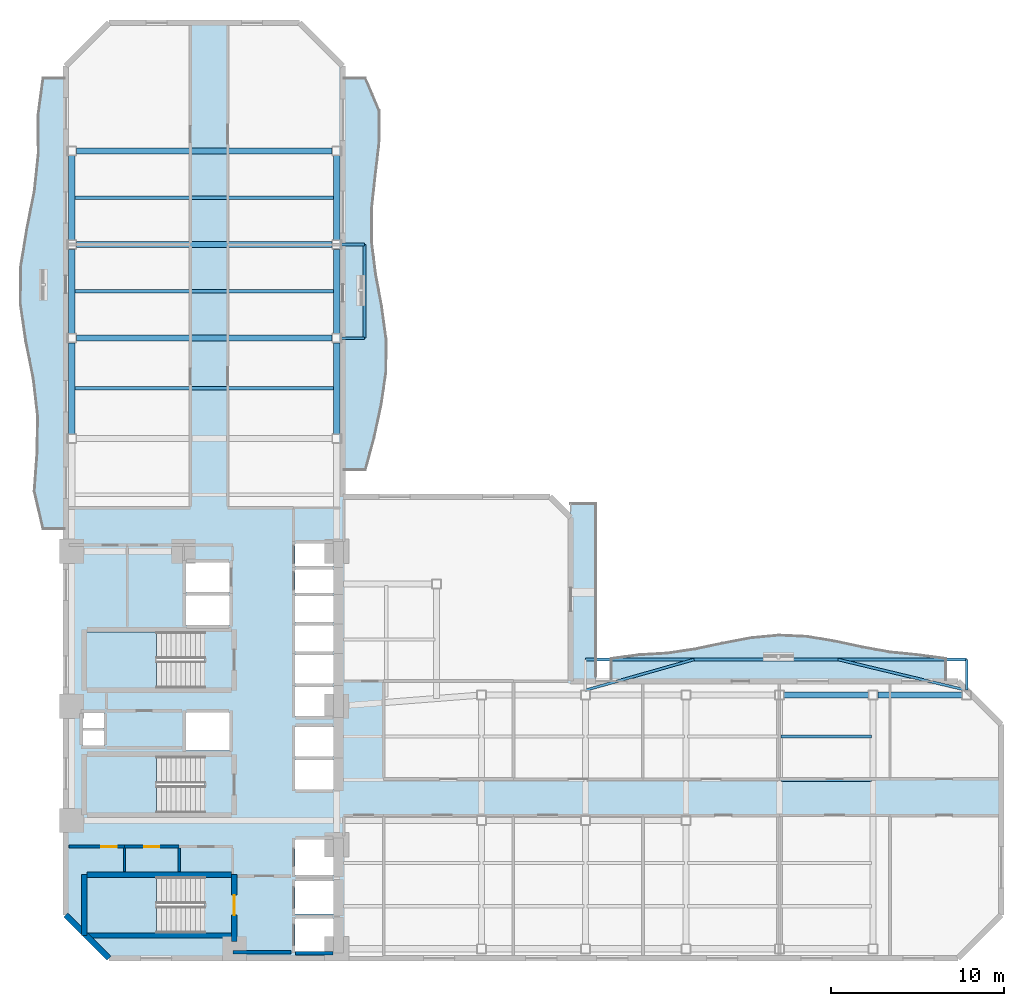
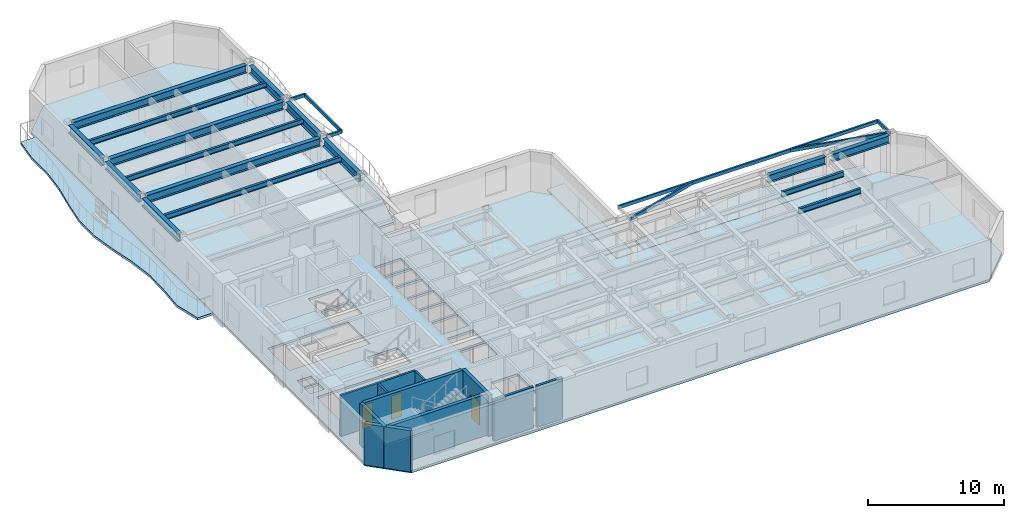
# One storey, part 2 of 10: 23 beams, 11 walls, 8 slabs, 3 doors, 3 openings, 3 elements without a shape of their own.
"""IFC4 building model written with IfcOpenShell, lengths in metres."""

from ifc_helpers import new_model, si_unit, direction, frame, frame_2d, origin, origin_2d, place, context, subcontext, project, spatial, polyline, rectangle, hollow_rectangle, i_section, outline, extrude, material, layer, layer_set, material_profile, profile_set, type_object, element, fill, aggregate, save


model = new_model("IFC4")

# Units and contexts
model_context = context("Model", 3, precision=1e-05, world=origin(), true_north=direction((0.0, 1.0)))
body_context = subcontext(model_context, "Body", "Model", "MODEL_VIEW")
ifc_project = project(units=[si_unit("LENGTHUNIT", "METRE"), si_unit("AREAUNIT", "SQUARE_METRE"), si_unit("VOLUMEUNIT", "CUBIC_METRE"), si_unit("PLANEANGLEUNIT", "RADIAN"), si_unit("MASSUNIT", "GRAM", prefix="KILO")], contexts=[model_context])

# Site, building, storey
site_placement = place(None, origin())
site = spatial("IfcSite", under=ifc_project, at=site_placement, CompositionType="ELEMENT")
building_placement = place(site_placement, origin())
building = spatial("IfcBuilding", under=site, at=building_placement, Name="Mawjaban Terraces University", CompositionType="ELEMENT")
storey_placement = place(building_placement, frame((0.0, 0.0, 62.199951171875)))
storey = spatial("IfcBuildingStorey", under=building, at=storey_placement, Name="L14", CompositionType="ELEMENT", Elevation=62.199951171875)

# Beams
ifc_material_1 = material(Name="Steel EN 10210-1 S355J2H", Category="steel")
ifc_material_profile_1 = material_profile(ifc_material_1, hollow_rectangle(XDim=0.14990234375, YDim=0.300048828125, WallThickness=0.012451171875, at=origin_2d()), Name="RHS300X150X12.5")
ifc_profile_set_1 = profile_set([ifc_material_profile_1], Name="Steel EN 10210-1 S355J2H")
beam_type_1 = type_object("IfcBeamType", Name="BalconyCantileverSpandrel_RHS", PredefinedType="SPANDREL", material=ifc_profile_set_1)
beam_1_placement = place(storey_placement, frame((74.0, 15.47509765625, 3.5400390625), z_axis=(0.0, 1.0, 0.0), x_axis=(-1.0, 0.0, 0.0)))
element("IfcBeam", 1, at=beam_1_placement, inside=storey, type_object=beam_type_1, Name="L14 Exterior Outrigger BAL-L15-N.2", PredefinedType="SPANDREL", context=body_context, shape_type="SweptSolid", body=[
    extrude(hollow_rectangle(XDim=0.14990234375, YDim=0.300048828125, WallThickness=0.012451171875, at=origin_2d()), origin(), (0.0, 0.0, 1.0), 1.77490234375),
])
beam_2_placement = place(storey_placement, frame((52.0, 17.25, 3.5400390625), z_axis=(1.0, 0.0, 0.0), x_axis=(0.0, 1.0, 0.0)))
element("IfcBeam", 2, at=beam_2_placement, inside=storey, type_object=beam_type_1, Name="L14 Exterior Edge Spandrel BAL-L15-N", PredefinedType="SPANDREL", context=body_context, shape_type="SweptSolid", body=[
    extrude(hollow_rectangle(XDim=0.14990234375, YDim=0.300048828125, WallThickness=0.012451171875, at=origin_2d()), origin(), (0.0, 0.0, 1.0), 22.0),
])
beam_3_placement = place(storey_placement, frame((52.0, 15.47509765625, 3.5400390625), z_axis=(0.962246756017, 0.272178582065, 0.0), x_axis=(-0.272178582065, 0.962246756017, 0.0)))
element("IfcBeam", 3, at=beam_3_placement, inside=storey, type_object=beam_type_1, Name="L14 Exterior Diagonal Strut BAL-L15-N.1", PredefinedType="SPANDREL", context=body_context, shape_type="SweptSolid", body=[
    extrude(hollow_rectangle(XDim=0.14990234375, YDim=0.300048828125, WallThickness=0.012451171875, at=origin_2d()), origin(), (0.0, 0.0, 1.0), 6.52099609375),
])
beam_4_placement = place(storey_placement, frame((74.0, 15.47509765625, 3.5400390625), z_axis=(-0.972598230498, 0.232492326825, 0.0), x_axis=(-0.232492326825, -0.972598230498, 0.0)))
element("IfcBeam", 4, at=beam_4_placement, inside=storey, type_object=beam_type_1, Name="L14 Exterior Diagonal Strut BAL-L15-N.2", PredefinedType="SPANDREL", context=body_context, shape_type="SweptSolid", body=[
    extrude(hollow_rectangle(XDim=0.14990234375, YDim=0.300048828125, WallThickness=0.012451171875, at=origin_2d()), origin(), (0.0, 0.0, 1.0), 7.63427734375),
])
for number, where, z_axis, x_axis, name in (
    (5, (37.925048828125, 35.800048828125, 3.5400390625), (1.0, 0.0, 0.0), (0.0, 1.0, 0.0), "L14 Exterior Outrigger BAL-L15-E.1"),
    (6, (37.925048828125, 41.199951171875, 3.5400390625), (1.0, 0.0, 0.0), (0.0, 1.0, 0.0), "L14 Exterior Outrigger BAL-L15-E.2"),
):
    element("IfcBeam", number, at=place(storey_placement, frame(where, z_axis=z_axis, x_axis=x_axis)), inside=storey, type_object=beam_type_1, Name=name, PredefinedType="SPANDREL", context=body_context, shape_type="SweptSolid", body=[
        extrude(hollow_rectangle(XDim=0.14990234375, YDim=0.300048828125, WallThickness=0.012451171875, at=origin_2d()), origin(), (0.0, 0.0, 1.0), 1.324951171875),
    ])
beam_5_placement = place(storey_placement, frame((39.25, 35.800048828125, 3.5400390625), z_axis=(0.0, 1.0, 0.0), x_axis=(-1.0, 0.0, 0.0)))
element("IfcBeam", 7, at=beam_5_placement, inside=storey, type_object=beam_type_1, Name="L14 Exterior Edge Spandrel BAL-L15-E", PredefinedType="SPANDREL", context=body_context, shape_type="SweptSolid", body=[
    extrude(hollow_rectangle(XDim=0.14990234375, YDim=0.300048828125, WallThickness=0.012451171875, at=origin_2d()), origin(), (0.0, 0.0, 1.0), 5.39990234375),
])
ifc_material_2 = material(Name="Steel ASTM A572 Grade 50", Category="steel")
ifc_material_profile_2 = material_profile(ifc_material_2, i_section(OverallWidth=0.35498046875, OverallDepth=0.695068359375, WebThickness=0.015380859375, FlangeThickness=0.02490234375, at=origin_2d()), Name="W690X217")
ifc_profile_set_2 = profile_set([ifc_material_profile_2], Name="Steel ASTM A572 Grade 50")
beam_type_2 = type_object("IfcBeamType", Name="Beam_B_W690X217", PredefinedType="BEAM", material=ifc_profile_set_2)
beam_6_placement = place(storey_placement, frame((63.47509765625, 15.199951171875, 3.343017578125), z_axis=(1.0, 0.0, 0.0), x_axis=(0.0, 1.0, 0.0)))
element("IfcBeam", 8, at=beam_6_placement, inside=storey, type_object=beam_type_2, Name="L14 Beam BM-L14-EW-12", PredefinedType="BEAM", context=body_context, shape_type="SweptSolid", body=[
    extrude(i_section(OverallWidth=0.35498046875, OverallDepth=0.695068359375, WebThickness=0.015380859375, FlangeThickness=0.02490234375, at=origin_2d()), origin(), (0.0, 0.0, 1.0), 4.849853515625),
])
beam_7_placement = place(storey_placement, frame((68.875, 15.199951171875, 3.343017578125), z_axis=(1.0, 0.0, 0.0), x_axis=(0.0, 1.0, 0.0)))
element("IfcBeam", 9, at=beam_7_placement, inside=storey, type_object=beam_type_2, Name="L14 Beam BM-L14-EW-13", PredefinedType="BEAM", context=body_context, shape_type="SweptSolid", body=[
    extrude(i_section(OverallWidth=0.35498046875, OverallDepth=0.695068359375, WebThickness=0.015380859375, FlangeThickness=0.02490234375, at=origin_2d()), origin(), (0.0, 0.0, 1.0), 4.85009765625),
])
for number, where, z_axis, x_axis, name in (
    (10, (22.625, 35.800048828125, 3.343017578125), (1.0, 0.0, 0.0), (0.0, 1.0, 0.0), "L14 Beam BM-L14-EW-16"),
    (11, (22.625, 41.199951171875, 3.343017578125), (1.0, 0.0, 0.0), (0.0, 1.0, 0.0), "L14 Beam BM-L14-EW-17"),
    (12, (22.625, 46.60009765625, 3.343017578125), (1.0, 0.0, 0.0), (0.0, 1.0, 0.0), "L14 Beam BM-L14-EW-18"),
):
    element("IfcBeam", number, at=place(storey_placement, frame(where, z_axis=z_axis, x_axis=x_axis)), inside=storey, type_object=beam_type_2, Name=name, PredefinedType="BEAM", context=body_context, shape_type="SweptSolid", body=[
        extrude(i_section(OverallWidth=0.35498046875, OverallDepth=0.695068359375, WebThickness=0.015380859375, FlangeThickness=0.02490234375, at=origin_2d()), origin(), (0.0, 0.0, 1.0), 14.75),
    ])
beam_8_placement = place(storey_placement, frame((22.35009765625, 30.27490234375, 3.343017578125), z_axis=(0.0, 1.0, 0.0), x_axis=(-1.0, 0.0, 0.0)))
element("IfcBeam", 13, at=beam_8_placement, inside=storey, type_object=beam_type_2, Name="L14 Beam BM-L14-NS-04", PredefinedType="BEAM", context=body_context, shape_type="SweptSolid", body=[
    extrude(i_section(OverallWidth=0.35498046875, OverallDepth=0.695068359375, WebThickness=0.015380859375, FlangeThickness=0.02490234375, at=origin_2d()), origin(), (0.0, 0.0, 1.0), 5.25),
])
beam_9_placement = place(storey_placement, frame((22.35009765625, 36.074951171875, 3.343017578125), z_axis=(0.0, 1.0, 0.0), x_axis=(-1.0, 0.0, 0.0)))
element("IfcBeam", 14, at=beam_9_placement, inside=storey, type_object=beam_type_2, Name="L14 Beam BM-L14-NS-05", PredefinedType="BEAM", context=body_context, shape_type="SweptSolid", body=[
    extrude(i_section(OverallWidth=0.35498046875, OverallDepth=0.695068359375, WebThickness=0.015380859375, FlangeThickness=0.02490234375, at=origin_2d()), origin(), (0.0, 0.0, 1.0), 4.85009765625),
])
beam_10_placement = place(storey_placement, frame((22.35009765625, 41.47509765625, 3.343017578125), z_axis=(0.0, 1.0, 0.0), x_axis=(-1.0, 0.0, 0.0)))
element("IfcBeam", 15, at=beam_10_placement, inside=storey, type_object=beam_type_2, Name="L14 Beam BM-L14-NS-06", PredefinedType="BEAM", context=body_context, shape_type="SweptSolid", body=[
    extrude(i_section(OverallWidth=0.35498046875, OverallDepth=0.695068359375, WebThickness=0.015380859375, FlangeThickness=0.02490234375, at=origin_2d()), origin(), (0.0, 0.0, 1.0), 4.849853515625),
])
beam_11_placement = place(storey_placement, frame((37.64990234375, 30.27490234375, 3.343017578125), z_axis=(0.0, 1.0, 0.0), x_axis=(-1.0, 0.0, 0.0)))
element("IfcBeam", 16, at=beam_11_placement, inside=storey, type_object=beam_type_2, Name="L14 Beam BM-L14-NS-11", PredefinedType="BEAM", context=body_context, shape_type="SweptSolid", body=[
    extrude(i_section(OverallWidth=0.35498046875, OverallDepth=0.695068359375, WebThickness=0.015380859375, FlangeThickness=0.02490234375, at=origin_2d()), origin(), (0.0, 0.0, 1.0), 5.25),
])
beam_12_placement = place(storey_placement, frame((37.64990234375, 36.074951171875, 3.343017578125), z_axis=(0.0, 1.0, 0.0), x_axis=(-1.0, 0.0, 0.0)))
element("IfcBeam", 17, at=beam_12_placement, inside=storey, type_object=beam_type_2, Name="L14 Beam BM-L14-NS-12", PredefinedType="BEAM", context=body_context, shape_type="SweptSolid", body=[
    extrude(i_section(OverallWidth=0.35498046875, OverallDepth=0.695068359375, WebThickness=0.015380859375, FlangeThickness=0.02490234375, at=origin_2d()), origin(), (0.0, 0.0, 1.0), 4.85009765625),
])
beam_13_placement = place(storey_placement, frame((37.64990234375, 41.47509765625, 3.343017578125), z_axis=(0.0, 1.0, 0.0), x_axis=(-1.0, 0.0, 0.0)))
element("IfcBeam", 18, at=beam_13_placement, inside=storey, type_object=beam_type_2, Name="L14 Beam BM-L14-NS-13", PredefinedType="BEAM", context=body_context, shape_type="SweptSolid", body=[
    extrude(i_section(OverallWidth=0.35498046875, OverallDepth=0.695068359375, WebThickness=0.015380859375, FlangeThickness=0.02490234375, at=origin_2d()), origin(), (0.0, 0.0, 1.0), 4.849853515625),
])
ifc_material_profile_3 = material_profile(ifc_material_2, i_section(OverallWidth=0.19189453125, OverallDepth=0.462890625, WebThickness=0.010498046875, FlangeThickness=0.017578125, at=origin_2d()), Name="W460X89")
ifc_profile_set_3 = profile_set([ifc_material_profile_3], Name="Steel ASTM A572 Grade 50")
beam_type_3 = type_object("IfcBeamType", Name="Beam_J_W460X89", PredefinedType="JOIST", material=ifc_profile_set_3)
for number, where, z_axis, x_axis, name in (
    (19, (63.280029296875, 10.300048828125, 3.458984375), (1.0, 0.0, 0.0), (0.0, 1.0, 0.0), "L14 Composite Joist JST-L14-15"),
    (20, (63.280029296875, 12.800048828125, 3.458984375), (1.0, 0.0, 0.0), (0.0, 1.0, 0.0), "L14 Composite Joist JST-L14-20"),
):
    element("IfcBeam", number, at=place(storey_placement, frame(where, z_axis=z_axis, x_axis=x_axis)), inside=storey, type_object=beam_type_3, Name=name, PredefinedType="JOIST", context=body_context, shape_type="SweptSolid", body=[
        extrude(i_section(OverallWidth=0.19189453125, OverallDepth=0.462890625, WebThickness=0.010498046875, FlangeThickness=0.017578125, at=origin_2d()), origin(), (0.0, 0.0, 1.0), 5.239990234375),
    ])
for number, where, z_axis, x_axis, name in (
    (21, (22.429931640625, 32.89990234375, 3.458984375), (1.0, 0.0, 0.0), (0.0, 1.0, 0.0), "L14 Composite Joist JST-L14-23"),
    (22, (22.429931640625, 38.5, 3.458984375), (1.0, 0.0, 0.0), (0.0, 1.0, 0.0), "L14 Composite Joist JST-L14-24"),
    (23, (22.429931640625, 43.89990234375, 3.458984375), (1.0, 0.0, 0.0), (0.0, 1.0, 0.0), "L14 Composite Joist JST-L14-25"),
):
    element("IfcBeam", number, at=place(storey_placement, frame(where, z_axis=z_axis, x_axis=x_axis)), inside=storey, type_object=beam_type_3, Name=name, PredefinedType="JOIST", context=body_context, shape_type="SweptSolid", body=[
        extrude(i_section(OverallWidth=0.19189453125, OverallDepth=0.462890625, WebThickness=0.010498046875, FlangeThickness=0.017578125, at=origin_2d()), origin(), (0.0, 0.0, 1.0), 15.14013671875),
    ])

# Slabs
ifc_material_3 = material(Name="Concrete C40/50", Category="concrete")
ifc_layer_1 = layer(ifc_material_3, 0.2099609375)
ifc_layer_set_1 = layer_set([ifc_layer_1], Name="Concrete C40/50")
slab_type_1 = type_object("IfcSlabType", Name="BalconySlab_210_Ext", PredefinedType="FLOOR", material=ifc_layer_set_1)
slab_1_placement = place(storey_placement, frame((0.0, 0.0, -0.2099609375)))
element("IfcSlab", 24, at=slab_1_placement, inside=storey, type_object=slab_type_1, Name="L14 Planted Balcony Slab west", PredefinedType="FLOOR", context=body_context, shape_type="SweptSolid", body=[
    extrude(outline(polyline([(22.010009765625, 24.800048828125), (22.010009765625, 50.800048828125), (20.699951171875, 50.800048828125), (20.410888671875, 48.633056640625), (20.431884765625, 46.467041015625), (20.201904296875, 44.300048828125), (19.77294921875, 42.133056640625), (19.41796875, 39.967041015625), (19.388916015625, 37.800048828125), (19.7060546875, 35.633056640625), (20.137939453125, 33.467041015625), (20.39208984375, 31.300048828125), (20.35302734375, 29.133056640625), (20.195068359375, 26.967041015625), (20.699951171875, 24.800048828125), (22.010009765625, 24.800048828125)])), origin(), (0.0, 0.0, 1.0), 0.2099609375),
])
slab_2_placement = place(storey_placement, frame((0.0, 0.0, -0.2099609375)))
element("IfcSlab", 25, at=slab_2_placement, inside=storey, type_object=slab_type_1, Name="L14 Planted Balcony Slab inner_north", PredefinedType="FLOOR", context=body_context, shape_type="SweptSolid", body=[
    extrude(outline(polyline([(53.5, 15.989990234375), (72.800048828125, 15.989990234375), (72.800048828125, 17.300048828125), (71.19189453125, 17.512939453125), (69.5830078125, 17.672119140625), (67.97509765625, 17.964111328125), (66.366943359375, 18.31005859375), (64.758056640625, 18.573974609375), (63.14990234375, 18.64501953125), (61.5419921875, 18.492919921875), (59.93310546875, 18.18408203125), (58.324951171875, 17.847900390625), (56.717041015625, 17.60888671875), (55.10791015625, 17.513916015625), (53.5, 17.300048828125), (53.5, 15.989990234375)])), origin(), (0.0, 0.0, 1.0), 0.2099609375),
])
slab_3_placement = place(storey_placement, frame((0.0, 0.0, -0.2099609375)))
element("IfcSlab", 26, at=slab_3_placement, inside=storey, type_object=slab_type_1, Name="L14 Planted Balcony Slab inner_east", PredefinedType="FLOOR", context=body_context, shape_type="SweptSolid", body=[
    extrude(outline(polyline([(39.300048828125, 28.195068359375), (39.81103515625, 30.0791015625), (40.216064453125, 31.9619140625), (40.491943359375, 33.845947265625), (40.4990234375, 35.72998046875), (40.2470703125, 37.614013671875), (39.89599609375, 39.498046875), (39.658935546875, 41.381103515625), (39.6630859375, 43.264892578125), (39.867919921875, 45.14892578125), (40.090087890625, 47.031982421875), (40.10205078125, 48.916015625), (39.300048828125, 50.800048828125), (37.989990234375, 50.800048828125), (37.989990234375, 28.195068359375), (39.300048828125, 28.195068359375)])), origin(), (0.0, 0.0, 1.0), 0.2099609375),
])
ifc_layer_2 = layer(ifc_material_3, 0.2099609375)
ifc_layer_set_2 = layer_set([ifc_layer_2], Name="Concrete C40/50")
slab_type_2 = type_object("IfcSlabType", Name="CompositeSlab_210", PredefinedType="FLOOR", material=ifc_layer_set_2)
slab_4_placement = place(storey_placement, frame((0.0, 0.0, -0.2099609375)))
element("IfcSlab", 27, at=slab_4_placement, inside=storey, type_object=slab_type_2, Name="L14 Primary Structural Slab", PredefinedType="FLOOR", context=body_context, shape_type="SweptSolid", body=[
    extrude(outline(polyline([(24.5, 0.0), (73.5, 0.0), (76.0, 2.5), (76.0, 13.5), (73.5, 16.0), (51.14990234375, 16.0), (51.14990234375, 25.44189453125), (49.949951171875, 26.64208984375), (38.0, 26.64208984375), (38.0, 51.5), (35.5, 54.0), (24.5, 54.0), (22.0, 51.5), (22.0, 2.5), (24.5, 0.0)]), holes=[polyline([(30.014892578125, 4.699951171875), (23.199951171875, 4.699951171875), (23.199951171875, 1.449951171875), (30.014892578125, 1.449951171875), (30.014892578125, 4.699951171875)]), polyline([(30.014892578125, 18.85009765625), (23.199951171875, 18.85009765625), (23.199951171875, 15.60009765625), (30.014892578125, 15.60009765625), (30.014892578125, 18.85009765625)]), polyline([(30.014892578125, 11.64990234375), (23.199951171875, 11.64990234375), (23.199951171875, 8.39990234375), (30.014892578125, 8.39990234375), (30.014892578125, 11.64990234375)]), polyline([(35.25, 0.39990234375), (37.449951171875, 0.39990234375), (37.449951171875, 2.300048828125), (35.25, 2.300048828125), (35.25, 0.39990234375)]), polyline([(35.25, 2.550048828125), (37.449951171875, 2.550048828125), (37.449951171875, 4.449951171875), (35.25, 4.449951171875), (35.25, 2.550048828125)]), polyline([(35.25, 4.800048828125), (37.449951171875, 4.800048828125), (37.449951171875, 6.85009765625), (35.25, 6.85009765625), (35.25, 4.800048828125)]), polyline([(35.25, 9.75), (37.449951171875, 9.75), (37.449951171875, 11.449951171875), (35.25, 11.449951171875), (35.25, 9.75)]), polyline([(35.25, 11.64990234375), (37.449951171875, 11.64990234375), (37.449951171875, 13.35009765625), (35.25, 13.35009765625), (35.25, 11.64990234375)]), polyline([(28.949951171875, 12.0), (31.449951171875, 12.0), (31.449951171875, 14.199951171875), (28.949951171875, 14.199951171875), (28.949951171875, 12.0)]), polyline([(35.25, 14.0), (37.449951171875, 14.0), (37.449951171875, 15.64990234375), (35.25, 15.64990234375), (35.25, 14.0)]), polyline([(35.25, 15.85009765625), (37.449951171875, 15.85009765625), (37.449951171875, 17.5), (35.25, 17.5), (35.25, 15.85009765625)]), polyline([(35.25, 17.699951171875), (37.449951171875, 17.699951171875), (37.449951171875, 19.199951171875), (35.25, 19.199951171875), (35.25, 17.699951171875)]), polyline([(35.25, 19.39990234375), (37.449951171875, 19.39990234375), (37.449951171875, 20.89990234375), (35.25, 20.89990234375), (35.25, 19.39990234375)]), polyline([(28.949951171875, 19.25), (31.449951171875, 19.25), (31.449951171875, 20.949951171875), (28.949951171875, 20.949951171875), (28.949951171875, 19.25)]), polyline([(35.25, 21.10009765625), (37.449951171875, 21.10009765625), (37.449951171875, 22.449951171875), (35.25, 22.449951171875), (35.25, 21.10009765625)]), polyline([(35.25, 22.64990234375), (37.449951171875, 22.64990234375), (37.449951171875, 23.949951171875), (35.25, 23.949951171875), (35.25, 22.64990234375)]), polyline([(28.949951171875, 21.14990234375), (31.449951171875, 21.14990234375), (31.449951171875, 22.85009765625), (28.949951171875, 22.85009765625), (28.949951171875, 21.14990234375)]), polyline([(23.0, 12.25), (24.199951171875, 12.25), (24.199951171875, 13.14990234375), (23.0, 13.14990234375), (23.0, 12.25)]), polyline([(23.0, 13.300048828125), (24.199951171875, 13.300048828125), (24.199951171875, 14.179931640625), (23.0, 14.179931640625), (23.0, 13.300048828125)])]), origin(), (0.0, 0.0, 1.0), 0.2099609375),
])

# Stair, slab
stair_type = type_object("IfcStairType", Name="Stair_Core1550_H39", PredefinedType="HALF_TURN_STAIR", material=ifc_material_3)
stair_1_placement = place(storey_placement, origin())
stair_1 = element("IfcStair", 28, at=stair_1_placement, inside=storey, type_object=stair_type, Name="L14 Core Exit Stair 1", PredefinedType="HALF_TURN_STAIR")
ifc_layer_3 = layer(ifc_material_3, 0.199951171875)
ifc_layer_set_3 = layer_set([ifc_layer_3], Name="Concrete C40/50")
slab_type_3 = type_object("IfcSlabType", Name="StairLandingSlab_200", PredefinedType="LANDING", material=ifc_layer_set_3)
slab_5_placement = place(storey_placement, frame((0.0, 0.0, 1.75)))
slab_5 = element("IfcSlab", 29, at=slab_5_placement, type_object=slab_type_3, Name="ST-1 landing 1", PredefinedType="LANDING", context=body_context, shape_type="SweptSolid", body=[
    extrude(outline(polyline([(27.25, 4.699951171875), (23.199951171875, 4.699951171875), (23.199951171875, 1.449951171875), (27.25, 1.449951171875), (27.25, 4.699951171875)])), origin(), (0.0, 0.0, 1.0), 0.199951171875),
])
aggregate(stair_1, [slab_5])

stair_2_placement = place(storey_placement, origin())
stair_2 = element("IfcStair", 30, at=stair_2_placement, inside=storey, type_object=stair_type, Name="L14 Core Exit Stair 2", PredefinedType="HALF_TURN_STAIR")
slab_6_placement = place(storey_placement, frame((0.0, 0.0, 1.75)))
slab_6 = element("IfcSlab", 31, at=slab_6_placement, type_object=slab_type_3, Name="ST-2 landing 1", PredefinedType="LANDING", context=body_context, shape_type="SweptSolid", body=[
    extrude(outline(polyline([(27.25, 18.85009765625), (23.199951171875, 18.85009765625), (23.199951171875, 15.60009765625), (27.25, 15.60009765625), (27.25, 18.85009765625)])), origin(), (0.0, 0.0, 1.0), 0.199951171875),
])
aggregate(stair_2, [slab_6])

stair_3_placement = place(storey_placement, origin())
stair_3 = element("IfcStair", 32, at=stair_3_placement, inside=storey, type_object=stair_type, Name="L14 Core Exit Stair 3", PredefinedType="HALF_TURN_STAIR")
slab_7_placement = place(storey_placement, frame((0.0, 0.0, 1.75)))
slab_7 = element("IfcSlab", 33, at=slab_7_placement, type_object=slab_type_3, Name="ST-3 landing 1", PredefinedType="LANDING", context=body_context, shape_type="SweptSolid", body=[
    extrude(outline(polyline([(27.25, 11.64990234375), (23.199951171875, 11.64990234375), (23.199951171875, 8.39990234375), (27.25, 8.39990234375), (27.25, 11.64990234375)])), origin(), (0.0, 0.0, 1.0), 0.199951171875),
])
aggregate(stair_3, [slab_7])

# Slab
ifc_layer_4 = layer(ifc_material_3, 0.2099609375)
ifc_layer_set_4 = layer_set([ifc_layer_4], Name="Concrete C40/50")
slab_type_4 = type_object("IfcSlabType", Name="StudyTerraceSlab_210_Ext", PredefinedType="FLOOR", material=ifc_layer_set_4)
slab_8_placement = place(storey_placement, frame((0.0, 0.0, -0.2099609375)))
element("IfcSlab", 34, at=slab_8_placement, inside=storey, type_object=slab_type_4, Name="L14 Exterior Study Terrace Slab", PredefinedType="FLOOR", context=body_context, shape_type="SweptSolid", body=[
    extrude(outline(polyline([(51.14990234375, 16.0), (52.60009765625, 16.0), (52.60009765625, 26.241943359375), (51.14990234375, 26.241943359375), (51.14990234375, 16.0)])), origin(), (0.0, 0.0, 1.0), 0.2099609375),
])

# Wall, opening, door
ifc_material_4 = material(Name="Fire-rated gypsum board on steel stud", Category="steel")
ifc_layer_5 = layer(ifc_material_4, 0.159912109375)
ifc_layer_set_5 = layer_set([ifc_layer_5], Name="Fire-rated gypsum board on steel stud")
wall_type_1 = type_object("IfcWallType", Name="CorridorPartition_160", PredefinedType="PARTITIONING", material=ifc_layer_set_5)
wall_1_placement = place(storey_placement, frame((22.199951171875, 6.449951171875, 0.0), z_axis=(0.0, 0.0, 1.0), x_axis=(1.0, 0.0, 0.0)))
wall_1 = element("IfcWall", 35, at=wall_1_placement, inside=storey, type_object=wall_type_1, Name="L14 Core Washroom Lobby Partition 1", PredefinedType="PARTITIONING", context=body_context, shape_type="SweptSolid", body=[
    extrude(rectangle(XDim=3.199951171875, YDim=0.159912109375, at=frame_2d((1.60009765625, 0.0))), origin(), (0.0, 0.0, 1.0), 3.68994140625),
])
opening_1_placement = place(wall_1_placement, frame((1.860107421875, 0.0, 0.0)))
opening_1 = element("IfcOpeningElement", 36, at=opening_1_placement, cuts=wall_1, Name="Opening ID-088", PredefinedType="OPENING", context=body_context, shape_type="SweptSolid", body=[
    extrude(rectangle(XDim=0.8798828125, YDim=2.10009765625, at=frame_2d((0.43994140625, 1.050048828125))), frame((0.0, 0.08984375, 0.0), z_axis=(0.0, -1.0, 0.0), x_axis=(1.0, 0.0, 0.0)), (0.0, 0.0, 1.0), 0.179931640625),
])
ifc_material_5 = material(Name="Powder-coated steel frame and solid acoustic timber leaf", Category="steel")
door_type_1 = type_object("IfcDoorType", Name="ToiletDoor_880x2100", OperationType="NOTDEFINED", PredefinedType="DOOR", material=ifc_material_5)
door_1_placement = place(opening_1_placement, origin())
door_1 = element("IfcDoor", 37, at=door_1_placement, inside=storey, type_object=door_type_1, Name="L14 Male Toilet Door", OperationType="SINGLE_SWING_LEFT", OverallHeight=2.10009765625, OverallWidth=0.8798828125, PredefinedType="DOOR", context=body_context, shape_type="SweptSolid", body=[
    extrude(rectangle(XDim=0.8798828125, YDim=2.10009765625, at=frame_2d((0.43994140625, 1.050048828125))), frame((0.0, 0.02490234375, 0.0), z_axis=(0.0, -1.0, 0.0), x_axis=(1.0, 0.0, 0.0)), (0.0, 0.0, 1.0), 0.050048828125),
])
fill(opening_1, door_1)

wall_2_placement = place(storey_placement, frame((25.39990234375, 6.449951171875, 0.0), z_axis=(0.0, 0.0, 1.0), x_axis=(1.0, 0.0, 0.0)))
wall_2 = element("IfcWall", 38, at=wall_2_placement, inside=storey, type_object=wall_type_1, Name="L14 Core Washroom Lobby Partition 4", PredefinedType="PARTITIONING", context=body_context, shape_type="SweptSolid", body=[
    extrude(rectangle(XDim=3.150146484375, YDim=0.159912109375, at=frame_2d((1.5751953125, 0.0))), origin(), (0.0, 0.0, 1.0), 3.68994140625),
])
opening_2_placement = place(wall_2_placement, frame((1.135009765625, 0.0, 0.0)))
opening_2 = element("IfcOpeningElement", 39, at=opening_2_placement, cuts=wall_2, Name="Opening ID-088", PredefinedType="OPENING", context=body_context, shape_type="SweptSolid", body=[
    extrude(rectangle(XDim=0.8798828125, YDim=2.10009765625, at=frame_2d((0.43994140625, 1.050048828125))), frame((0.0, 0.08984375, 0.0), z_axis=(0.0, -1.0, 0.0), x_axis=(1.0, 0.0, 0.0)), (0.0, 0.0, 1.0), 0.179931640625),
])
door_2_placement = place(opening_2_placement, origin())
door_2 = element("IfcDoor", 40, at=door_2_placement, inside=storey, type_object=door_type_1, Name="L14 Female Toilet Door", OperationType="SINGLE_SWING_RIGHT", OverallHeight=2.10009765625, OverallWidth=0.8798828125, PredefinedType="DOOR", context=body_context, shape_type="SweptSolid", body=[
    extrude(rectangle(XDim=0.8798828125, YDim=2.10009765625, at=frame_2d((0.43994140625, 1.050048828125))), frame((0.0, 0.02490234375, 0.0), z_axis=(0.0, -1.0, 0.0), x_axis=(1.0, 0.0, 0.0)), (0.0, 0.0, 1.0), 0.050048828125),
])
fill(opening_2, door_2)

# Walls
ifc_material_6 = material(Name="Insulated terracotta rainscreen on concrete backup C40/50", Category="masonry")
ifc_layer_6 = layer(ifc_material_6, 0.320068359375)
ifc_layer_set_6 = layer_set([ifc_layer_6], Name="Insulated terracotta rainscreen on concrete backup C40/50")
wall_type_2 = type_object("IfcWallType", Name="ExtTerracottaWall_320", PredefinedType="SOLIDWALL", material=ifc_layer_set_6)
wall_3_placement = place(storey_placement, frame((22.0, 2.5, 0.0), z_axis=(0.0, 0.0, 1.0), x_axis=(0.707106781187, -0.707106781187, 0.0)))
element("IfcWall", 41, at=wall_3_placement, inside=storey, type_object=wall_type_2, Name="L14 Exterior Terracotta Wall 14", PredefinedType="SOLIDWALL", context=body_context, shape_type="SweptSolid", body=[
    extrude(rectangle(XDim=3.53564453125, YDim=0.320068359375, at=frame_2d((1.767822265625, 0.0))), origin(), (0.0, 0.0, 1.0), 3.68994140625),
])
ifc_layer_7 = layer(ifc_material_3, 0.199951171875)
ifc_layer_set_7 = layer_set([ifc_layer_7], Name="Concrete C40/50")
wall_type_3 = type_object("IfcWallType", Name="FireLobbyWall_200", PredefinedType="SOLIDWALL", material=ifc_layer_set_7)
wall_4_placement = place(storey_placement, frame((35.280029296875, 0.300048828125, 0.0), z_axis=(0.0, 0.0, 1.0), x_axis=(1.0, 0.0, 0.0)))
element("IfcWall", 42, at=wall_4_placement, inside=storey, type_object=wall_type_3, Name="L14 Lift FL-1 Hoistway Wall South", PredefinedType="SOLIDWALL", context=body_context, shape_type="SweptSolid", body=[
    extrude(rectangle(XDim=2.139892578125, YDim=0.199951171875, at=frame_2d((1.06982421875, 0.0))), origin(), (0.0, 0.0, 1.0), 3.68994140625),
])
wall_5_placement = place(storey_placement, frame((31.64990234375, 0.35009765625, 0.0), z_axis=(0.0, 0.0, 1.0), x_axis=(1.0, 0.0, 0.0)))
element("IfcWall", 43, at=wall_5_placement, inside=storey, type_object=wall_type_3, Name="L14 Firefighting Lift Lobby Partition 11", PredefinedType="SOLIDWALL", context=body_context, shape_type="SweptSolid", body=[
    extrude(rectangle(XDim=3.3701171875, YDim=0.199951171875, at=frame_2d((1.68505859375, 0.0))), origin(), (0.0, 0.0, 1.0), 3.68994140625),
])
ifc_material_7 = material(Name="Concrete C60/75", Category="concrete")
ifc_layer_8 = layer(ifc_material_7, 0.300048828125)
ifc_layer_set_8 = layer_set([ifc_layer_8], Name="Concrete C60/75")
wall_type_4 = type_object("IfcWallType", Name="StairShaftWall_300", PredefinedType="SHEAR", material=ifc_layer_set_8)
wall_6_placement = place(storey_placement, frame((31.580078125, 4.830078125, 0.0), z_axis=(0.0, 0.0, 1.0), x_axis=(-1.0, 0.0, 0.0)))
element("IfcWall", 44, at=wall_6_placement, inside=storey, type_object=wall_type_4, Name="L14 ST-1 Stair Shaft Wall 1", PredefinedType="SHEAR", context=body_context, shape_type="SweptSolid", body=[
    extrude(rectangle(XDim=8.360107421875, YDim=0.300048828125, at=frame_2d((4.18017578125, 0.0))), origin(), (0.0, 0.0, 1.0), 3.68994140625),
])
wall_7_placement = place(storey_placement, frame((23.070068359375, 4.830078125, 0.0), z_axis=(0.0, 0.0, 1.0), x_axis=(0.0, -1.0, 0.0)))
element("IfcWall", 45, at=wall_7_placement, inside=storey, type_object=wall_type_4, Name="L14 ST-1 Stair Shaft Wall 2", PredefinedType="SHEAR", context=body_context, shape_type="SweptSolid", body=[
    extrude(rectangle(XDim=3.510009765625, YDim=0.300048828125, at=frame_2d((1.7548828125, 0.0))), origin(), (0.0, 0.0, 1.0), 3.68994140625),
])
wall_8_placement = place(storey_placement, frame((23.219970703125, 1.320068359375, 0.0), z_axis=(0.0, 0.0, 1.0), x_axis=(1.0, 0.0, 0.0)))
element("IfcWall", 46, at=wall_8_placement, inside=storey, type_object=wall_type_4, Name="L14 ST-1 Stair Shaft Wall 3", PredefinedType="SHEAR", context=body_context, shape_type="SweptSolid", body=[
    extrude(rectangle(XDim=8.360107421875, YDim=0.300048828125, at=frame_2d((4.18017578125, 0.0))), origin(), (0.0, 0.0, 1.0), 3.68994140625),
])

# Wall, opening, door
wall_9_placement = place(storey_placement, frame((31.72998046875, 0.9599609375, 0.0), z_axis=(0.0, 0.0, 1.0), x_axis=(0.0, 1.0, 0.0)))
wall_9 = element("IfcWall", 47, at=wall_9_placement, inside=storey, type_object=wall_type_4, Name="L14 ST-1 Stair Shaft Wall 4", PredefinedType="SHEAR", context=body_context, shape_type="SweptSolid", body=[
    extrude(rectangle(XDim=3.8701171875, YDim=0.300048828125, at=frame_2d((1.93505859375, 0.0))), origin(), (0.0, 0.0, 1.0), 3.68994140625),
])
opening_3_placement = place(wall_9_placement, frame((1.5400390625, 0.0, 0.0)))
opening_3 = element("IfcOpeningElement", 48, at=opening_3_placement, cuts=wall_9, Name="Opening FD-115", PredefinedType="OPENING", context=body_context, shape_type="SweptSolid", body=[
    extrude(rectangle(XDim=1.14990234375, YDim=2.14990234375, at=frame_2d((0.574951171875, 1.074951171875))), frame((0.0, 0.159912109375, 0.0), z_axis=(0.0, -1.0, 0.0), x_axis=(1.0, 0.0, 0.0)), (0.0, 0.0, 1.0), 0.320068359375),
])
ifc_material_8 = material(Name="Powder-coated steel frame and fire-rated steel-faced leaf", Category="steel")
door_type_2 = type_object("IfcDoorType", Name="FireStairDoor_1150x2150", OperationType="NOTDEFINED", PredefinedType="DOOR", material=ifc_material_8)
door_3_placement = place(opening_3_placement, origin())
door_3 = element("IfcDoor", 49, at=door_3_placement, inside=storey, type_object=door_type_2, Name="L14 ST-1 Pressurised Stair Fire Door", OperationType="SINGLE_SWING_LEFT", OverallHeight=2.14990234375, OverallWidth=1.14990234375, PredefinedType="DOOR", context=body_context, shape_type="SweptSolid", body=[
    extrude(rectangle(XDim=1.14990234375, YDim=2.14990234375, at=frame_2d((0.574951171875, 1.074951171875))), frame((0.0, 0.02490234375, 0.0), z_axis=(0.0, -1.0, 0.0), x_axis=(1.0, 0.0, 0.0)), (0.0, 0.0, 1.0), 0.050048828125),
])
fill(opening_3, door_3)

# Walls
ifc_material_9 = material(Name="Cement-board wet-room partition", Category="masonry")
ifc_layer_9 = layer(ifc_material_9, 0.135009765625)
ifc_layer_set_9 = layer_set([ifc_layer_9], Name="Cement-board wet-room partition")
wall_type_5 = type_object("IfcWallType", Name="WetRoomPartition_135", PredefinedType="PARTITIONING", material=ifc_layer_set_9)
for number, where, z_axis, x_axis, name in (
    (50, (25.39990234375, 5.010009765625, 0.0), (0.0, 0.0, 1.0), (0.0, 1.0, 0.0), "L14 Male Toilet Partition 31"),
    (51, (28.550048828125, 5.010009765625, 0.0), (0.0, 0.0, 1.0), (0.0, 1.0, 0.0), "L14 Female Toilet Partition 33"),
):
    element("IfcWall", number, at=place(storey_placement, frame(where, z_axis=z_axis, x_axis=x_axis)), inside=storey, type_object=wall_type_5, Name=name, PredefinedType="PARTITIONING", context=body_context, shape_type="SweptSolid", body=[
        extrude(rectangle(XDim=1.364990234375, YDim=0.135009765625, at=frame_2d((0.6826171875, 0.0))), origin(), (0.0, 0.0, 1.0), 3.68994140625),
    ])

save(model, "model.ifc")
